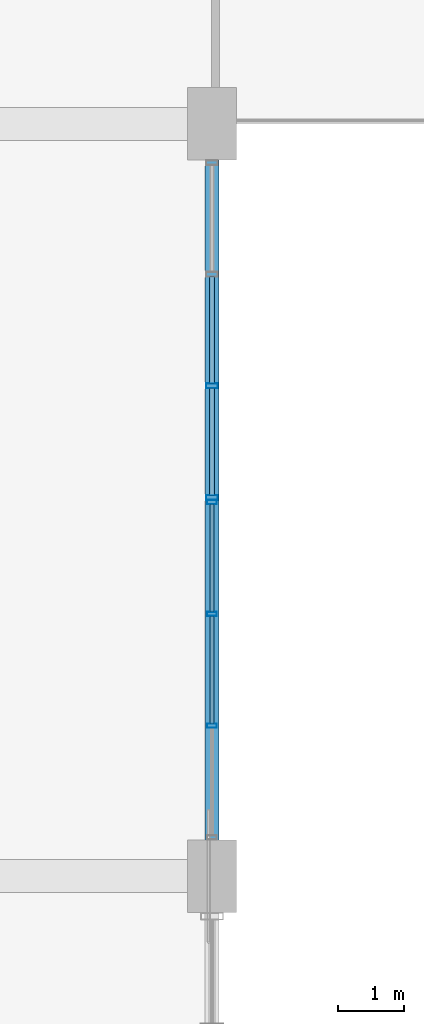
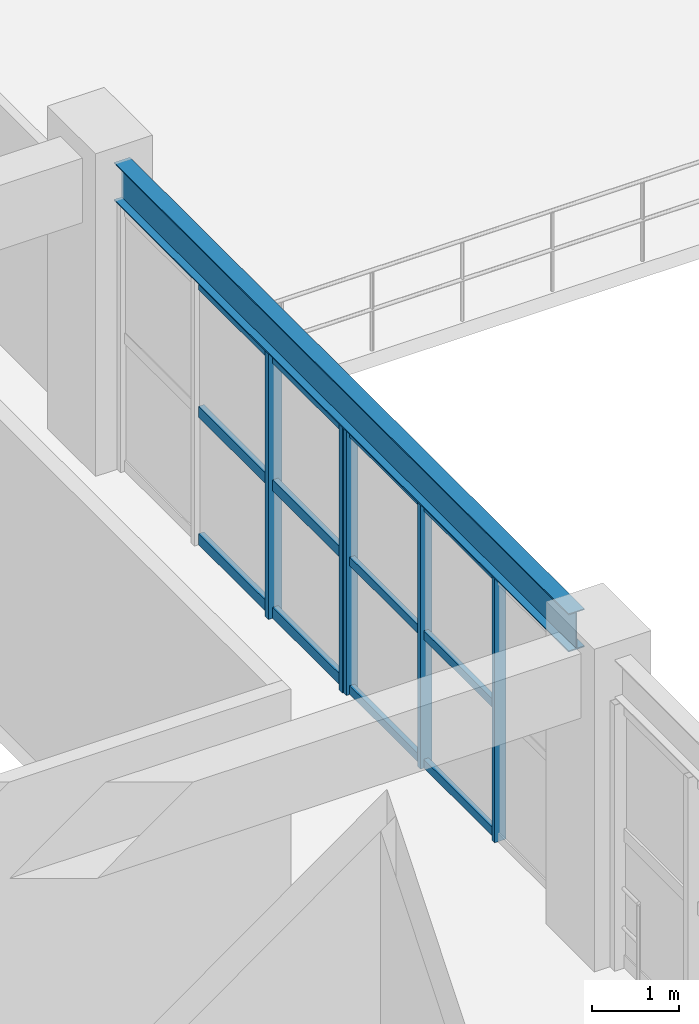
# One storey, part 25 of 80: 17 members, 1 beam, 2 elements without a shape of their own.
"""IFC4 building model written with IfcOpenShell, lengths in metres."""

import ifcopenshell
import ifcopenshell.guid

model = None  # the IFC model being written
_history = None  # IfcOwnerHistory: only IFC2X3 demands one
_inside = {}  # id of a spatial element -> (the spatial element, [elements in it])
_under = {}  # id of a project, library or spatial element -> (it, [spatial elements below it])
_declared = {}  # id of a project -> (the project, [libraries it declares])
_typed = {}  # id of a type object -> (the type object, [elements of that type])
_made_of = {}  # id of a material, layer set ... -> (it, [elements and type objects made of it])


def new_model(schema):
    """Start an empty IFC model of exactly this schema.

    Asked for "IFC4X3", IfcOpenShell would pick the latest addendum, in which some entities
    have other attributes; the version numbers below select the first issue.
    IFC2X3 requires an IfcOwnerHistory on every rooted entity: one is made here for all.
    """
    global model, _history
    if schema == "IFC4X3":
        model = ifcopenshell.file(schema_version=(4, 3, 0, 0))
    else:
        model = ifcopenshell.file(schema=schema)
    _inside.clear()
    _under.clear()
    _declared.clear()
    _typed.clear()
    _made_of.clear()
    _history = None
    if model.schema == "IFC2X3":
        org = make("IfcOrganization", Name="unknown")
        user = make(
            "IfcPersonAndOrganization",
            ThePerson=make("IfcPerson", FamilyName="unknown"),
            TheOrganization=org,
        )
        app = make(
            "IfcApplication",
            ApplicationDeveloper=org,
            Version="unknown",
            ApplicationFullName="unknown",
            ApplicationIdentifier="unknown",
        )
        _history = make(
            "IfcOwnerHistory",
            OwningUser=user,
            OwningApplication=app,
            ChangeAction="ADDED",
            CreationDate=0,
        )
    return model


def make(cls, **values):
    """One entity of the class cls with the attributes given. An attribute that is None is left unset."""
    return model.create_entity(
        cls, **{name: value for name, value in values.items() if value is not None}
    )


def rooted(cls, **values):
    """An entity with a GlobalId (a new one), such as an element, a storey or a relation."""
    return make(cls, GlobalId=ifcopenshell.guid.new(), OwnerHistory=_history, **values)


def si_unit(unit_type, name, prefix=None):
    """IfcSIUnit, for example si_unit("LENGTHUNIT", "METRE", prefix="MILLI")."""
    return make("IfcSIUnit", UnitType=unit_type, Prefix=prefix, Name=name)


def assignment(units):
    """IfcUnitAssignment: the units of a project."""
    return None if units is None else make("IfcUnitAssignment", Units=units)


def point(xyz):
    """IfcCartesianPoint."""
    return None if xyz is None else make("IfcCartesianPoint", Coordinates=xyz)


def direction(xyz):
    """IfcDirection."""
    return None if xyz is None else make("IfcDirection", DirectionRatios=xyz)


def frame(location, z_axis=None, x_axis=None):
    """IfcAxis2Placement3D, a coordinate frame: its origin and axes. An axis left out is left unset."""
    return make(
        "IfcAxis2Placement3D",
        Location=point(location),
        Axis=direction(z_axis),
        RefDirection=direction(x_axis),
    )


def frame_2d(location, x_axis=None):
    """IfcAxis2Placement2D, a coordinate frame in the plane: its origin and x axis."""
    return make(
        "IfcAxis2Placement2D", Location=point(location), RefDirection=direction(x_axis)
    )


def origin():
    """The frame at (0, 0, 0) with its axes left unset."""
    return frame((0.0, 0.0, 0.0))


def origin_2d():
    """The frame at (0, 0) in the plane with its x axis left unset."""
    return frame_2d((0.0, 0.0))


def place(relative_to, where):
    """IfcLocalPlacement: puts the frame where relative to a parent placement (None: the world)."""
    return make(
        "IfcLocalPlacement", PlacementRelTo=relative_to, RelativePlacement=where
    )


def context(
    kind, dimensions, precision=None, world=None, true_north=None, identifier=None
):
    """IfcGeometricRepresentationContext, for example the 3D "Model" context."""
    return make(
        "IfcGeometricRepresentationContext",
        ContextIdentifier=identifier,
        ContextType=kind,
        CoordinateSpaceDimension=dimensions,
        Precision=precision,
        WorldCoordinateSystem=world,
        TrueNorth=true_north,
    )


def subcontext(parent, identifier, kind, view, scale=None):
    """IfcGeometricRepresentationSubContext, for example "Body" below "Model"."""
    return make(
        "IfcGeometricRepresentationSubContext",
        ContextIdentifier=identifier,
        ContextType=kind,
        ParentContext=parent,
        TargetScale=scale,
        TargetView=view,
    )


def project(units=None, contexts=None):
    """IfcProject with its units and contexts."""
    return rooted(
        "IfcProject",
        Name="project",
        RepresentationContexts=contexts,
        UnitsInContext=assignment(units),
    )


def spatial(cls, under=None, at=None, **own):
    """A site, building, storey or space (cls), placed at a placement, below another one or the project."""
    s = rooted(cls, ObjectPlacement=at, **own)
    if under is not None:
        _under.setdefault(under.id(), (under, []))[1].append(s)
    return s


def profile(cls, at=None, kind="AREA", **sizes):
    """A parametric profile (cls). Its sizes go by their IFC names, for example OverallWidth=200.0."""
    return make(cls, ProfileType=kind, Position=at, **sizes)


def hollow_rectangle(**sizes):
    """IfcRectangleHollowProfileDef."""
    return profile("IfcRectangleHollowProfileDef", **sizes)


def i_section(**sizes):
    """IfcIShapeProfileDef."""
    return profile("IfcIShapeProfileDef", **sizes)


def extrude(swept, where, along, depth):
    """IfcExtrudedAreaSolid: the profile swept, set in the frame where, extruded along a direction by depth."""
    return make(
        "IfcExtrudedAreaSolid",
        SweptArea=swept,
        Position=where,
        ExtrudedDirection=direction(along),
        Depth=depth,
    )


def shape(context_of_items, identifier, shape_type, items):
    """IfcShapeRepresentation: the items that make up one representation, for example the "Body"."""
    return make(
        "IfcShapeRepresentation",
        ContextOfItems=context_of_items,
        RepresentationIdentifier=identifier,
        RepresentationType=shape_type,
        Items=items,
    )


def material(Name=None, Category=None):
    """IfcMaterial."""
    return make("IfcMaterial", Name=Name, Category=Category)


def layer(
    of_material, thickness, ventilated=None, Name=None, Category=None, Priority=None
):
    """IfcMaterialLayer: one layer of a wall or slab, of a material (None: an air gap)."""
    return make(
        "IfcMaterialLayer",
        Material=of_material,
        LayerThickness=thickness,
        IsVentilated=ventilated,
        Name=Name,
        Category=Category,
        Priority=Priority,
    )


def layer_set(layers, Name=None):
    """IfcMaterialLayerSet."""
    return make("IfcMaterialLayerSet", MaterialLayers=layers, LayerSetName=Name)


def material_profile(
    of_material, cross_section, Name=None, Category=None, Priority=None
):
    """IfcMaterialProfile: a cross section and its material."""
    return make(
        "IfcMaterialProfile",
        Name=Name,
        Material=of_material,
        Profile=cross_section,
        Priority=Priority,
        Category=Category,
    )


def profile_set(profiles, Name=None, composite=None):
    """IfcMaterialProfileSet."""
    return make(
        "IfcMaterialProfileSet",
        Name=Name,
        MaterialProfiles=profiles,
        CompositeProfile=composite,
    )


def made_of(thing, what):
    """Note that an element or type object is made of a material, layer set ...; save() writes the relation."""
    if what is not None:
        _made_of.setdefault(what.id(), (what, []))[1].append(thing)
    return thing


def type_object(cls, material=None, **own):
    """A type object (cls), such as IfcWallType, which elements share."""
    return made_of(rooted(cls, **own), material)


def element(
    cls,
    number,
    at=None,
    inside=None,
    cuts=None,
    type_object=None,
    material=None,
    context=None,
    identifier="Body",
    shape_type=None,
    held_by="IfcProductDefinitionShape",
    body=None,
    shapes=None,
    **own,
):
    """One element of the class cls, such as IfcWall. Its Tag is "e" and its number.

    at: its placement. inside: the storey or other place that contains it. cuts: it is an
    opening in that element (IfcRelVoidsElement). A single representation is given by context,
    identifier, shape_type and body (its items); several are given by shapes. held_by: the class
    of the entity that holds the representations. save() writes the other relations.
    """
    e = rooted(cls, Tag="e%d" % number, ObjectPlacement=at, **own)
    if body is not None:
        shapes = [shape(context, identifier, shape_type, body)]
    if shapes is not None:
        e.Representation = make(held_by, Representations=shapes)
    if inside is not None:
        _inside.setdefault(inside.id(), (inside, []))[1].append(e)
    if cuts is not None:
        rooted(
            "IfcRelVoidsElement", RelatingBuildingElement=cuts, RelatedOpeningElement=e
        )
    if type_object is not None:
        _typed.setdefault(type_object.id(), (type_object, []))[1].append(e)
    return made_of(e, material)


def aggregate(whole, parts):
    """IfcRelAggregates: a whole, such as a stair, and the parts it consists of."""
    return rooted("IfcRelAggregates", RelatingObject=whole, RelatedObjects=parts)


def save(model, path):
    """Write the relations noted so far, then the file.

    IfcRelAggregates (storeys below a building ...), IfcRelContainedInSpatialStructure (elements
    in a storey), IfcRelDefinesByType, IfcRelAssociatesMaterial and IfcRelDeclares: one each for
    every whole, place, type object, material and project.
    """
    for whole, parts in _under.values():
        aggregate(whole, parts)
    for where, things in _inside.values():
        rooted(
            "IfcRelContainedInSpatialStructure",
            RelatedElements=things,
            RelatingStructure=where,
        )
    for kind, things in _typed.values():
        rooted("IfcRelDefinesByType", RelatedObjects=things, RelatingType=kind)
    for what, things in _made_of.values():
        rooted("IfcRelAssociatesMaterial", RelatedObjects=things, RelatingMaterial=what)
    for by, libraries in _declared.values():
        rooted("IfcRelDeclares", RelatingContext=by, RelatedDefinitions=libraries)
    model.write(path)


model = new_model("IFC4")

# Units and contexts
model_context = context("Model", 3, precision=1e-05, world=origin(), true_north=direction((0.0, 1.0)))
body_context = subcontext(model_context, "Body", "Model", "MODEL_VIEW")
ifc_project = project(units=[si_unit("LENGTHUNIT", "METRE"), si_unit("AREAUNIT", "SQUARE_METRE"), si_unit("VOLUMEUNIT", "CUBIC_METRE"), si_unit("PLANEANGLEUNIT", "RADIAN"), si_unit("MASSUNIT", "GRAM", prefix="KILO"), si_unit("POWERUNIT", "WATT"), si_unit("THERMODYNAMICTEMPERATUREUNIT", "KELVIN")], contexts=[model_context])

# Site, building, storey
site_placement = place(None, origin())
site = spatial("IfcSite", under=ifc_project, at=site_placement, CompositionType="ELEMENT")
building_placement = place(site_placement, origin())
building = spatial("IfcBuilding", under=site, at=building_placement, Name="Kelmbourne Parkland Aquatics Centre", CompositionType="ELEMENT")
storey_placement = place(building_placement, frame((0.0, 0.0, 10.199951171875)))
storey = spatial("IfcBuildingStorey", under=building, at=storey_placement, Name="L02", CompositionType="ELEMENT", Elevation=10.199951171875)

# Beam
ifc_material_1 = material(Name="Structural steel AS/NZS 3679.1 Grade 300", Category="steel")
ifc_material_profile_1 = material_profile(ifc_material_1, i_section(OverallWidth=0.208984375, OverallDepth=0.532958984375, WebThickness=0.01025390625, FlangeThickness=0.015625, at=origin_2d()), Name="530UB92.4")
ifc_profile_set_1 = profile_set([ifc_material_profile_1], Name="Structural steel AS/NZS 3679.1 Grade 300")
beam_type = type_object("IfcBeamType", Name="BM-SP02", PredefinedType="SPANDREL", material=ifc_profile_set_1)
beam_placement = place(storey_placement, frame((128.0, 24.10498046875, 3.99365234375), z_axis=(0.0, 1.0, 0.0), x_axis=(-1.0, 0.0, 0.0)))
element("IfcBeam", 1, at=beam_placement, inside=storey, type_object=beam_type, Name="Perimeter spandrel 04-05 Grid P (L03)", PredefinedType="SPANDREL", context=body_context, shape_type="SweptSolid", body=[
    extrude(i_section(OverallWidth=0.208984375, OverallDepth=0.532958984375, WebThickness=0.01025390625, FlangeThickness=0.015625, at=origin_2d()), origin(), (0.0, 0.0, 1.0), 10.39013671875),
])

# Curtain wall, members
ifc_material_2 = material(Name="Thermally broken anodised aluminium framing", Category="aluminium")
ifc_layer_1 = layer(ifc_material_2, 0.179931640625)
ifc_layer_set_1 = layer_set([ifc_layer_1], Name="Thermally broken anodised aluminium framing")
curtain_wall_type_1 = type_object("IfcCurtainWallType", Name="CW-18", PredefinedType="NOTDEFINED", material=ifc_layer_set_1)
curtain_wall_1_placement = place(storey_placement, origin())
curtain_wall_1 = element("IfcCurtainWall", 2, at=curtain_wall_1_placement, inside=storey, type_object=curtain_wall_type_1, Name="Facade curtain wall CW-L02-210", PredefinedType="NOTDEFINED")
ifc_material_profile_2 = material_profile(ifc_material_2, hollow_rectangle(XDim=0.06494140625, YDim=0.14990234375, WallThickness=0.00390625, at=origin_2d()), Name="CW-M 65x150")
ifc_profile_set_2 = profile_set([ifc_material_profile_2], Name="Thermally broken anodised aluminium framing")
member_type_1 = type_object("IfcMemberType", Name="MB-MUL-1", PredefinedType="MULLION", material=ifc_profile_set_2)
member_1_placement = place(storey_placement, frame((128.0, 25.87890625, 0.0), z_axis=(0.0, 0.0, 1.0), x_axis=(0.0, 1.0, 0.0)))
member_1 = element("IfcMember", 3, at=member_1_placement, type_object=member_type_1, Name="CW-L02-210 mullion 1", PredefinedType="MULLION", context=body_context, shape_type="SweptSolid", body=[
    extrude(hollow_rectangle(XDim=0.06494140625, YDim=0.14990234375, WallThickness=0.00390625, at=origin_2d()), origin(), (0.0, 0.0, 1.0), 3.712158203125),
])
member_2_placement = place(storey_placement, frame((128.0, 27.5732421875, 0.0), z_axis=(0.0, 0.0, 1.0), x_axis=(0.0, 1.0, 0.0)))
member_2 = element("IfcMember", 4, at=member_2_placement, type_object=member_type_1, Name="CW-L02-210 mullion 2", PredefinedType="MULLION", context=body_context, shape_type="SweptSolid", body=[
    extrude(hollow_rectangle(XDim=0.06494140625, YDim=0.14990234375, WallThickness=0.00390625, at=origin_2d()), origin(), (0.0, 0.0, 1.0), 3.712158203125),
])
member_3_placement = place(storey_placement, frame((128.0, 29.267578125, 0.0), z_axis=(0.0, 0.0, 1.0), x_axis=(0.0, 1.0, 0.0)))
member_3 = element("IfcMember", 5, at=member_3_placement, type_object=member_type_1, Name="CW-L02-210 mullion 3", PredefinedType="MULLION", context=body_context, shape_type="SweptSolid", body=[
    extrude(hollow_rectangle(XDim=0.06494140625, YDim=0.14990234375, WallThickness=0.00390625, at=origin_2d()), origin(), (0.0, 0.0, 1.0), 3.712158203125),
])

ifc_layer_2 = layer(ifc_material_2, 0.179931640625)
ifc_layer_set_2 = layer_set([ifc_layer_2], Name="Thermally broken anodised aluminium framing")
curtain_wall_type_2 = type_object("IfcCurtainWallType", Name="CW-19", PredefinedType="NOTDEFINED", material=ifc_layer_set_2)
curtain_wall_2_placement = place(storey_placement, origin())
curtain_wall_2 = element("IfcCurtainWall", 6, at=curtain_wall_2_placement, inside=storey, type_object=curtain_wall_type_2, Name="Facade curtain wall CW-L02-211", PredefinedType="NOTDEFINED")
ifc_material_profile_3 = material_profile(ifc_material_2, hollow_rectangle(XDim=0.074951171875, YDim=0.179931640625, WallThickness=0.00439453125, at=origin_2d()), Name="CW-M 75x180")
ifc_profile_set_3 = profile_set([ifc_material_profile_3], Name="Thermally broken anodised aluminium framing")
member_type_2 = type_object("IfcMemberType", Name="MB-MUL-2", PredefinedType="MULLION", material=ifc_profile_set_3)
member_4_placement = place(storey_placement, frame((128.0, 29.33740234375, 0.0), z_axis=(0.0, 0.0, 1.0), x_axis=(0.0, 1.0, 0.0)))
member_4 = element("IfcMember", 7, at=member_4_placement, type_object=member_type_2, Name="CW-L02-211 mullion 0", PredefinedType="MULLION", context=body_context, shape_type="SweptSolid", body=[
    extrude(hollow_rectangle(XDim=0.074951171875, YDim=0.179931640625, WallThickness=0.00439453125, at=origin_2d()), origin(), (0.0, 0.0, 1.0), 3.712158203125),
])
member_5_placement = place(storey_placement, frame((128.0, 31.028564453125, 0.0), z_axis=(0.0, 0.0, 1.0), x_axis=(0.0, 1.0, 0.0)))
member_5 = element("IfcMember", 8, at=member_5_placement, type_object=member_type_2, Name="CW-L02-211 mullion 1", PredefinedType="MULLION", context=body_context, shape_type="SweptSolid", body=[
    extrude(hollow_rectangle(XDim=0.074951171875, YDim=0.179931640625, WallThickness=0.00439453125, at=origin_2d()), origin(), (0.0, 0.0, 1.0), 3.712158203125),
])

# Member
ifc_material_profile_4 = material_profile(ifc_material_2, hollow_rectangle(XDim=0.06494140625, YDim=0.1201171875, WallThickness=0.00341796875, at=origin_2d()), Name="CW-T 65x120")
ifc_profile_set_4 = profile_set([ifc_material_profile_4], Name="Thermally broken anodised aluminium framing")
member_type_3 = type_object("IfcMemberType", Name="MB-TRN-1", PredefinedType="USERDEFINED", material=ifc_profile_set_4)
member_6_placement = place(storey_placement, frame((128.0, 25.9072265625, 0.06298828125), z_axis=(0.0, 1.0, 0.0), x_axis=(-1.0, 0.0, 0.0)))
member_6 = element("IfcMember", 9, at=member_6_placement, type_object=member_type_3, Name="CW-L02-210 transom 0-1", ObjectType="TRANSOM", PredefinedType="USERDEFINED", context=body_context, shape_type="SweptSolid", body=[
    extrude(hollow_rectangle(XDim=0.06494140625, YDim=0.1201171875, WallThickness=0.00341796875, at=origin_2d()), origin(), (0.0, 0.0, 1.0), 1.637451171875),
])

member_7_placement = place(storey_placement, frame((128.0, 27.601806640625, 0.06298828125), z_axis=(0.0, 1.0, 0.0), x_axis=(-1.0, 0.0, 0.0)))
member_7 = element("IfcMember", 10, at=member_7_placement, type_object=member_type_3, Name="CW-L02-210 transom 0-2", ObjectType="TRANSOM", PredefinedType="USERDEFINED", context=body_context, shape_type="SweptSolid", body=[
    extrude(hollow_rectangle(XDim=0.06494140625, YDim=0.1201171875, WallThickness=0.00341796875, at=origin_2d()), origin(), (0.0, 0.0, 1.0), 1.63720703125),
])

member_8_placement = place(storey_placement, frame((128.0, 25.9072265625, 1.85595703125), z_axis=(0.0, 1.0, 0.0), x_axis=(-1.0, 0.0, 0.0)))
member_8 = element("IfcMember", 11, at=member_8_placement, type_object=member_type_3, Name="CW-L02-210 transom 1-1", ObjectType="TRANSOM", PredefinedType="USERDEFINED", context=body_context, shape_type="SweptSolid", body=[
    extrude(hollow_rectangle(XDim=0.06494140625, YDim=0.1201171875, WallThickness=0.00341796875, at=origin_2d()), origin(), (0.0, 0.0, 1.0), 1.637451171875),
])

member_9_placement = place(storey_placement, frame((128.0, 27.601806640625, 1.85595703125), z_axis=(0.0, 1.0, 0.0), x_axis=(-1.0, 0.0, 0.0)))
member_9 = element("IfcMember", 12, at=member_9_placement, type_object=member_type_3, Name="CW-L02-210 transom 1-2", ObjectType="TRANSOM", PredefinedType="USERDEFINED", context=body_context, shape_type="SweptSolid", body=[
    extrude(hollow_rectangle(XDim=0.06494140625, YDim=0.1201171875, WallThickness=0.00341796875, at=origin_2d()), origin(), (0.0, 0.0, 1.0), 1.63720703125),
])

member_10_placement = place(storey_placement, frame((128.0, 25.9072265625, 3.649169921875), z_axis=(0.0, 1.0, 0.0), x_axis=(-1.0, 0.0, 0.0)))
member_10 = element("IfcMember", 13, at=member_10_placement, type_object=member_type_3, Name="CW-L02-210 transom 2-1", ObjectType="TRANSOM", PredefinedType="USERDEFINED", context=body_context, shape_type="SweptSolid", body=[
    extrude(hollow_rectangle(XDim=0.06494140625, YDim=0.1201171875, WallThickness=0.00341796875, at=origin_2d()), origin(), (0.0, 0.0, 1.0), 1.637451171875),
])

member_11_placement = place(storey_placement, frame((128.0, 27.601806640625, 3.649169921875), z_axis=(0.0, 1.0, 0.0), x_axis=(-1.0, 0.0, 0.0)))
member_11 = element("IfcMember", 14, at=member_11_placement, type_object=member_type_3, Name="CW-L02-210 transom 2-2", ObjectType="TRANSOM", PredefinedType="USERDEFINED", context=body_context, shape_type="SweptSolid", body=[
    extrude(hollow_rectangle(XDim=0.06494140625, YDim=0.1201171875, WallThickness=0.00341796875, at=origin_2d()), origin(), (0.0, 0.0, 1.0), 1.63720703125),
])

aggregate(curtain_wall_1, [member_1, member_2, member_3, member_6, member_7, member_8, member_9, member_10, member_11])

ifc_material_profile_5 = material_profile(ifc_material_2, hollow_rectangle(XDim=0.074951171875, YDim=0.14990234375, WallThickness=0.00390625, at=origin_2d()), Name="CW-T 75x150")
ifc_profile_set_5 = profile_set([ifc_material_profile_5], Name="Thermally broken anodised aluminium framing")
member_type_4 = type_object("IfcMemberType", Name="MB-TRN-2", PredefinedType="USERDEFINED", material=ifc_profile_set_5)
member_12_placement = place(storey_placement, frame((128.0, 29.37109375, 0.078125), z_axis=(0.0, 1.0, 0.0), x_axis=(-1.0, 0.0, 0.0)))
member_12 = element("IfcMember", 15, at=member_12_placement, type_object=member_type_4, Name="CW-L02-211 transom 0-0", ObjectType="TRANSOM", PredefinedType="USERDEFINED", context=body_context, shape_type="SweptSolid", body=[
    extrude(hollow_rectangle(XDim=0.074951171875, YDim=0.14990234375, WallThickness=0.00390625, at=origin_2d()), origin(), (0.0, 0.0, 1.0), 1.6240234375),
])

member_13_placement = place(storey_placement, frame((128.0, 31.06201171875, 0.078125), z_axis=(0.0, 1.0, 0.0), x_axis=(-1.0, 0.0, 0.0)))
member_13 = element("IfcMember", 16, at=member_13_placement, type_object=member_type_4, Name="CW-L02-211 transom 0-1", ObjectType="TRANSOM", PredefinedType="USERDEFINED", context=body_context, shape_type="SweptSolid", body=[
    extrude(hollow_rectangle(XDim=0.074951171875, YDim=0.14990234375, WallThickness=0.00390625, at=origin_2d()), origin(), (0.0, 0.0, 1.0), 1.6240234375),
])

member_14_placement = place(storey_placement, frame((128.0, 29.37109375, 1.85595703125), z_axis=(0.0, 1.0, 0.0), x_axis=(-1.0, 0.0, 0.0)))
member_14 = element("IfcMember", 17, at=member_14_placement, type_object=member_type_4, Name="CW-L02-211 transom 1-0", ObjectType="TRANSOM", PredefinedType="USERDEFINED", context=body_context, shape_type="SweptSolid", body=[
    extrude(hollow_rectangle(XDim=0.074951171875, YDim=0.14990234375, WallThickness=0.00390625, at=origin_2d()), origin(), (0.0, 0.0, 1.0), 1.6240234375),
])

member_15_placement = place(storey_placement, frame((128.0, 31.06201171875, 1.85595703125), z_axis=(0.0, 1.0, 0.0), x_axis=(-1.0, 0.0, 0.0)))
member_15 = element("IfcMember", 18, at=member_15_placement, type_object=member_type_4, Name="CW-L02-211 transom 1-1", ObjectType="TRANSOM", PredefinedType="USERDEFINED", context=body_context, shape_type="SweptSolid", body=[
    extrude(hollow_rectangle(XDim=0.074951171875, YDim=0.14990234375, WallThickness=0.00390625, at=origin_2d()), origin(), (0.0, 0.0, 1.0), 1.6240234375),
])

member_16_placement = place(storey_placement, frame((128.0, 29.37109375, 3.634033203125), z_axis=(0.0, 1.0, 0.0), x_axis=(-1.0, 0.0, 0.0)))
member_16 = element("IfcMember", 19, at=member_16_placement, type_object=member_type_4, Name="CW-L02-211 transom 2-0", ObjectType="TRANSOM", PredefinedType="USERDEFINED", context=body_context, shape_type="SweptSolid", body=[
    extrude(hollow_rectangle(XDim=0.074951171875, YDim=0.14990234375, WallThickness=0.00390625, at=origin_2d()), origin(), (0.0, 0.0, 1.0), 1.6240234375),
])

member_17_placement = place(storey_placement, frame((128.0, 31.06201171875, 3.634033203125), z_axis=(0.0, 1.0, 0.0), x_axis=(-1.0, 0.0, 0.0)))
member_17 = element("IfcMember", 20, at=member_17_placement, type_object=member_type_4, Name="CW-L02-211 transom 2-1", ObjectType="TRANSOM", PredefinedType="USERDEFINED", context=body_context, shape_type="SweptSolid", body=[
    extrude(hollow_rectangle(XDim=0.074951171875, YDim=0.14990234375, WallThickness=0.00390625, at=origin_2d()), origin(), (0.0, 0.0, 1.0), 1.6240234375),
])

aggregate(curtain_wall_2, [member_4, member_5, member_12, member_13, member_14, member_15, member_16, member_17])

save(model, "model.ifc")
